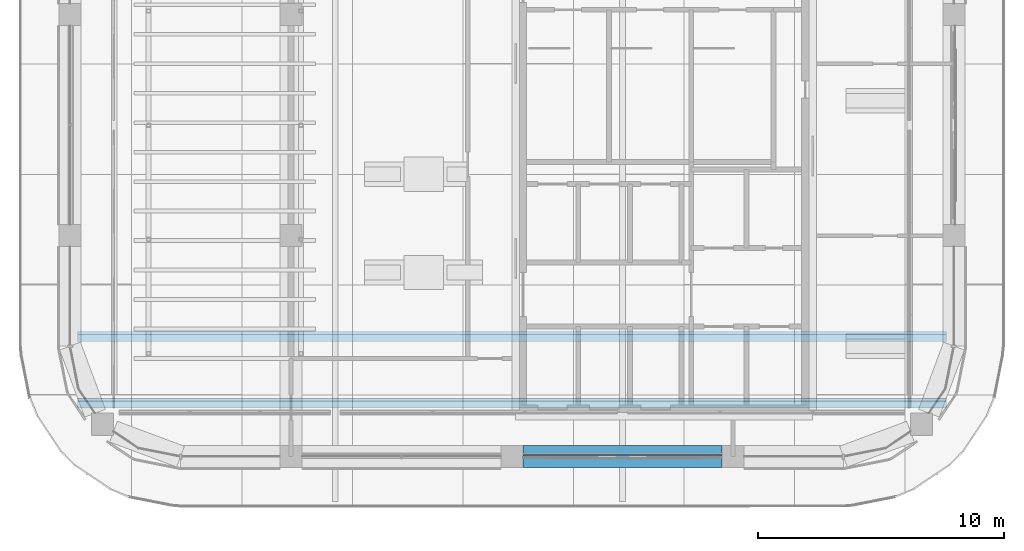
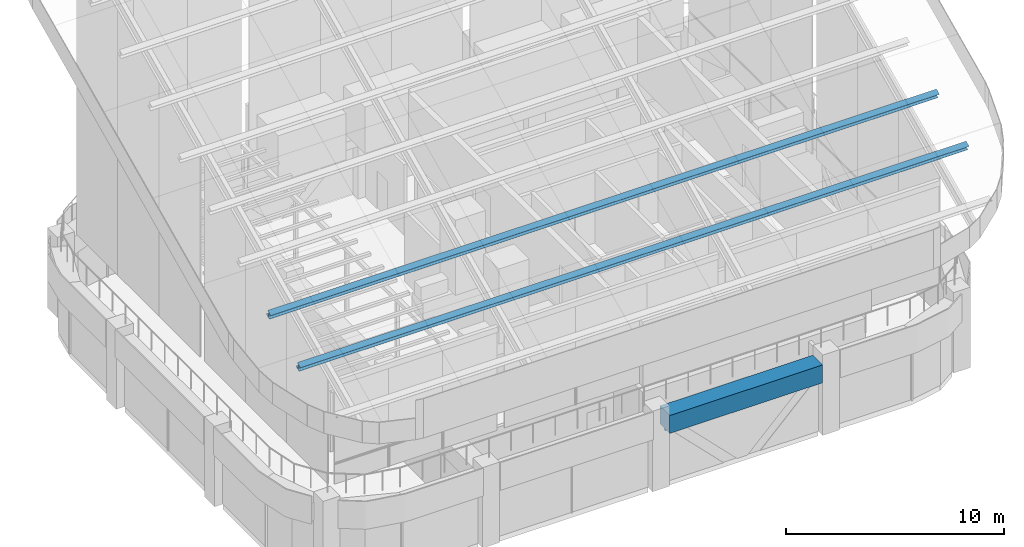
# One storey, part 12 of 31: 3 members, 1 beam, 1 element without a shape of its own.
"""IFC4 building model written with IfcOpenShell, lengths in metres."""

import ifcopenshell
import ifcopenshell.guid

model = None  # the IFC model being written
_history = None  # IfcOwnerHistory: only IFC2X3 demands one
_inside = {}  # id of a spatial element -> (the spatial element, [elements in it])
_under = {}  # id of a project, library or spatial element -> (it, [spatial elements below it])
_declared = {}  # id of a project -> (the project, [libraries it declares])
_typed = {}  # id of a type object -> (the type object, [elements of that type])
_made_of = {}  # id of a material, layer set ... -> (it, [elements and type objects made of it])


def new_model(schema):
    """Start an empty IFC model of exactly this schema.

    Asked for "IFC4X3", IfcOpenShell would pick the latest addendum, in which some entities
    have other attributes; the version numbers below select the first issue.
    IFC2X3 requires an IfcOwnerHistory on every rooted entity: one is made here for all.
    """
    global model, _history
    if schema == "IFC4X3":
        model = ifcopenshell.file(schema_version=(4, 3, 0, 0))
    else:
        model = ifcopenshell.file(schema=schema)
    _inside.clear()
    _under.clear()
    _declared.clear()
    _typed.clear()
    _made_of.clear()
    _history = None
    if model.schema == "IFC2X3":
        org = make("IfcOrganization", Name="unknown")
        user = make(
            "IfcPersonAndOrganization",
            ThePerson=make("IfcPerson", FamilyName="unknown"),
            TheOrganization=org,
        )
        app = make(
            "IfcApplication",
            ApplicationDeveloper=org,
            Version="unknown",
            ApplicationFullName="unknown",
            ApplicationIdentifier="unknown",
        )
        _history = make(
            "IfcOwnerHistory",
            OwningUser=user,
            OwningApplication=app,
            ChangeAction="ADDED",
            CreationDate=0,
        )
    return model


def make(cls, **values):
    """One entity of the class cls with the attributes given. An attribute that is None is left unset."""
    return model.create_entity(
        cls, **{name: value for name, value in values.items() if value is not None}
    )


def rooted(cls, **values):
    """An entity with a GlobalId (a new one), such as an element, a storey or a relation."""
    return make(cls, GlobalId=ifcopenshell.guid.new(), OwnerHistory=_history, **values)


def si_unit(unit_type, name, prefix=None):
    """IfcSIUnit, for example si_unit("LENGTHUNIT", "METRE", prefix="MILLI")."""
    return make("IfcSIUnit", UnitType=unit_type, Prefix=prefix, Name=name)


def assignment(units):
    """IfcUnitAssignment: the units of a project."""
    return None if units is None else make("IfcUnitAssignment", Units=units)


def point(xyz):
    """IfcCartesianPoint."""
    return None if xyz is None else make("IfcCartesianPoint", Coordinates=xyz)


def direction(xyz):
    """IfcDirection."""
    return None if xyz is None else make("IfcDirection", DirectionRatios=xyz)


def frame(location, z_axis=None, x_axis=None):
    """IfcAxis2Placement3D, a coordinate frame: its origin and axes. An axis left out is left unset."""
    return make(
        "IfcAxis2Placement3D",
        Location=point(location),
        Axis=direction(z_axis),
        RefDirection=direction(x_axis),
    )


def frame_2d(location, x_axis=None):
    """IfcAxis2Placement2D, a coordinate frame in the plane: its origin and x axis."""
    return make(
        "IfcAxis2Placement2D", Location=point(location), RefDirection=direction(x_axis)
    )


def origin():
    """The frame at (0, 0, 0) with its axes left unset."""
    return frame((0.0, 0.0, 0.0))


def origin_2d():
    """The frame at (0, 0) in the plane with its x axis left unset."""
    return frame_2d((0.0, 0.0))


def place(relative_to, where):
    """IfcLocalPlacement: puts the frame where relative to a parent placement (None: the world)."""
    return make(
        "IfcLocalPlacement", PlacementRelTo=relative_to, RelativePlacement=where
    )


def context(
    kind, dimensions, precision=None, world=None, true_north=None, identifier=None
):
    """IfcGeometricRepresentationContext, for example the 3D "Model" context."""
    return make(
        "IfcGeometricRepresentationContext",
        ContextIdentifier=identifier,
        ContextType=kind,
        CoordinateSpaceDimension=dimensions,
        Precision=precision,
        WorldCoordinateSystem=world,
        TrueNorth=true_north,
    )


def subcontext(parent, identifier, kind, view, scale=None):
    """IfcGeometricRepresentationSubContext, for example "Body" below "Model"."""
    return make(
        "IfcGeometricRepresentationSubContext",
        ContextIdentifier=identifier,
        ContextType=kind,
        ParentContext=parent,
        TargetScale=scale,
        TargetView=view,
    )


def project(units=None, contexts=None):
    """IfcProject with its units and contexts."""
    return rooted(
        "IfcProject",
        Name="project",
        RepresentationContexts=contexts,
        UnitsInContext=assignment(units),
    )


def spatial(cls, under=None, at=None, **own):
    """A site, building, storey or space (cls), placed at a placement, below another one or the project."""
    s = rooted(cls, ObjectPlacement=at, **own)
    if under is not None:
        _under.setdefault(under.id(), (under, []))[1].append(s)
    return s


def profile(cls, at=None, kind="AREA", **sizes):
    """A parametric profile (cls). Its sizes go by their IFC names, for example OverallWidth=200.0."""
    return make(cls, ProfileType=kind, Position=at, **sizes)


def rectangle(**sizes):
    """IfcRectangleProfileDef."""
    return profile("IfcRectangleProfileDef", **sizes)


def i_section(**sizes):
    """IfcIShapeProfileDef."""
    return profile("IfcIShapeProfileDef", **sizes)


def extrude(swept, where, along, depth):
    """IfcExtrudedAreaSolid: the profile swept, set in the frame where, extruded along a direction by depth."""
    return make(
        "IfcExtrudedAreaSolid",
        SweptArea=swept,
        Position=where,
        ExtrudedDirection=direction(along),
        Depth=depth,
    )


def shape(context_of_items, identifier, shape_type, items):
    """IfcShapeRepresentation: the items that make up one representation, for example the "Body"."""
    return make(
        "IfcShapeRepresentation",
        ContextOfItems=context_of_items,
        RepresentationIdentifier=identifier,
        RepresentationType=shape_type,
        Items=items,
    )


def material(Name=None, Category=None):
    """IfcMaterial."""
    return make("IfcMaterial", Name=Name, Category=Category)


def material_profile(
    of_material, cross_section, Name=None, Category=None, Priority=None
):
    """IfcMaterialProfile: a cross section and its material."""
    return make(
        "IfcMaterialProfile",
        Name=Name,
        Material=of_material,
        Profile=cross_section,
        Priority=Priority,
        Category=Category,
    )


def profile_set(profiles, Name=None, composite=None):
    """IfcMaterialProfileSet."""
    return make(
        "IfcMaterialProfileSet",
        Name=Name,
        MaterialProfiles=profiles,
        CompositeProfile=composite,
    )


def made_of(thing, what):
    """Note that an element or type object is made of a material, layer set ...; save() writes the relation."""
    if what is not None:
        _made_of.setdefault(what.id(), (what, []))[1].append(thing)
    return thing


def type_object(cls, material=None, **own):
    """A type object (cls), such as IfcWallType, which elements share."""
    return made_of(rooted(cls, **own), material)


def element(
    cls,
    number,
    at=None,
    inside=None,
    cuts=None,
    type_object=None,
    material=None,
    context=None,
    identifier="Body",
    shape_type=None,
    held_by="IfcProductDefinitionShape",
    body=None,
    shapes=None,
    **own,
):
    """One element of the class cls, such as IfcWall. Its Tag is "e" and its number.

    at: its placement. inside: the storey or other place that contains it. cuts: it is an
    opening in that element (IfcRelVoidsElement). A single representation is given by context,
    identifier, shape_type and body (its items); several are given by shapes. held_by: the class
    of the entity that holds the representations. save() writes the other relations.
    """
    e = rooted(cls, Tag="e%d" % number, ObjectPlacement=at, **own)
    if body is not None:
        shapes = [shape(context, identifier, shape_type, body)]
    if shapes is not None:
        e.Representation = make(held_by, Representations=shapes)
    if inside is not None:
        _inside.setdefault(inside.id(), (inside, []))[1].append(e)
    if cuts is not None:
        rooted(
            "IfcRelVoidsElement", RelatingBuildingElement=cuts, RelatedOpeningElement=e
        )
    if type_object is not None:
        _typed.setdefault(type_object.id(), (type_object, []))[1].append(e)
    return made_of(e, material)


def aggregate(whole, parts):
    """IfcRelAggregates: a whole, such as a stair, and the parts it consists of."""
    return rooted("IfcRelAggregates", RelatingObject=whole, RelatedObjects=parts)


def save(model, path):
    """Write the relations noted so far, then the file.

    IfcRelAggregates (storeys below a building ...), IfcRelContainedInSpatialStructure (elements
    in a storey), IfcRelDefinesByType, IfcRelAssociatesMaterial and IfcRelDeclares: one each for
    every whole, place, type object, material and project.
    """
    for whole, parts in _under.values():
        aggregate(whole, parts)
    for where, things in _inside.values():
        rooted(
            "IfcRelContainedInSpatialStructure",
            RelatedElements=things,
            RelatingStructure=where,
        )
    for kind, things in _typed.values():
        rooted("IfcRelDefinesByType", RelatedObjects=things, RelatingType=kind)
    for what, things in _made_of.values():
        rooted("IfcRelAssociatesMaterial", RelatedObjects=things, RelatingMaterial=what)
    for by, libraries in _declared.values():
        rooted("IfcRelDeclares", RelatingContext=by, RelatedDefinitions=libraries)
    model.write(path)


model = new_model("IFC4")

# Units and contexts
model_context = context("Model", 3, precision=1e-05, world=origin(), true_north=direction((0.0, 1.0)))
body_context = subcontext(model_context, "Body", "Model", "MODEL_VIEW")
ifc_project = project(units=[si_unit("LENGTHUNIT", "METRE"), si_unit("AREAUNIT", "SQUARE_METRE"), si_unit("VOLUMEUNIT", "CUBIC_METRE"), si_unit("PLANEANGLEUNIT", "RADIAN"), si_unit("MASSUNIT", "GRAM", prefix="KILO")], contexts=[model_context])

# Site, building, storey
site_placement = place(None, origin())
site = spatial("IfcSite", under=ifc_project, at=site_placement, CompositionType="ELEMENT")
building_placement = place(site_placement, origin())
building = spatial("IfcBuilding", under=site, at=building_placement, Name="Tessera Arch", CompositionType="ELEMENT")
storey_placement = place(building_placement, frame((0.0, 0.0, 320.699951171875)))
storey = spatial("IfcBuildingStorey", under=building, at=storey_placement, Name="L77", CompositionType="ELEMENT", Elevation=320.699951171875)

# Curtain wall, member
ifc_material_1 = material(Name="CW3 curtain wall")
curtain_wall_type = type_object("IfcCurtainWallType", Name="CW3 curtain wall", PredefinedType="NOTDEFINED", material=ifc_material_1)
curtain_wall_placement = place(storey_placement, origin())
curtain_wall = element("IfcCurtainWall", 1, at=curtain_wall_placement, inside=storey, type_object=curtain_wall_type, Name="CW3 curtain wall S27.18/2 L77", PredefinedType="NOTDEFINED")
ifc_material_2 = material(Name="Anodised aluminium pale metal", Category="aluminium")
ifc_material_profile_1 = material_profile(ifc_material_2, rectangle(XDim=0.139892578125, YDim=0.10009765625, at=origin_2d()), Name="AL 140x100")
ifc_profile_set_1 = profile_set([ifc_material_profile_1], Name="Anodised aluminium pale metal")
member_type_1 = type_object("IfcMemberType", Name="CW3 transom", PredefinedType="USERDEFINED", material=ifc_profile_set_1)
member_placement = place(storey_placement, frame((36.449951171875, 27.0, 2.900146484375), z_axis=(1.0, 0.0, 0.0), x_axis=(0.0, 1.0, 0.0)))
member = element("IfcMember", 2, at=member_placement, type_object=member_type_1, Name="CW3 transom S27.18/2 1.1", ObjectType="TRANSOM", PredefinedType="USERDEFINED", context=body_context, shape_type="SweptSolid", body=[
    extrude(rectangle(XDim=0.139892578125, YDim=0.10009765625, at=origin_2d()), origin(), (0.0, 0.0, 1.0), 8.10009765625),
])
aggregate(curtain_wall, [member])

# Members
ifc_material_3 = material(Name="Steel A992 Gr50", Category="steel")
ifc_material_profile_2 = material_profile(ifc_material_3, i_section(OverallWidth=0.3046875, OverallDepth=0.307861328125, WebThickness=0.010009765625, FlangeThickness=0.015380859375, at=origin_2d()), Name="W12x65")
ifc_profile_set_2 = profile_set([ifc_material_profile_2], Name="Steel A992 Gr50")
member_type_2 = type_object("IfcMemberType", Name="Canopy purlin W12x65", PredefinedType="PURLIN", material=ifc_profile_set_2)
for number, where, z_axis, x_axis, name in (
    (3, (18.300048828125, 29.17724609375, 11.434326171875), (1.0, 0.0, 0.0), (0.0, 0.906307787037, 0.422618261741), "Canopy purlin 2"),
    (4, (18.300048828125, 31.896240234375, 12.7021484375), (1.0, 0.0, 0.0), (0.0, 0.906307787037, 0.422618261741), "Canopy purlin 3"),
):
    element("IfcMember", number, at=place(storey_placement, frame(where, z_axis=z_axis, x_axis=x_axis)), inside=storey, type_object=member_type_2, Name=name, PredefinedType="PURLIN", context=body_context, shape_type="SweptSolid", body=[
        extrude(i_section(OverallWidth=0.3046875, OverallDepth=0.307861328125, WebThickness=0.010009765625, FlangeThickness=0.015380859375, at=origin_2d()), origin(), (0.0, 0.0, 1.0), 35.39990234375),
    ])

# Beam
ifc_material_4 = material(Name="Concrete C50/60", Category="concrete")
ifc_material_profile_3 = material_profile(ifc_material_4, rectangle(XDim=0.89990234375, YDim=1.0, at=origin_2d()), Name="RC spandrel beam 900 x 1000 Concrete C50/60")
ifc_profile_set_3 = profile_set([ifc_material_profile_3], Name="Concrete C50/60")
beam_type = type_object("IfcBeamType", Name="RC spandrel beam 900 x 1000 Concrete C50/60", PredefinedType="BEAM", material=ifc_profile_set_3)
beam_placement = place(storey_placement, frame((36.449951171875, 27.0, 3.449951171875), z_axis=(1.0, 0.0, 0.0), x_axis=(0.0, 1.0, 0.0)))
element("IfcBeam", 5, at=beam_placement, inside=storey, type_object=beam_type, Name="Spandrel beam L77 S27.18/2", PredefinedType="BEAM", context=body_context, shape_type="SweptSolid", body=[
    extrude(rectangle(XDim=0.89990234375, YDim=1.0, at=origin_2d()), origin(), (0.0, 0.0, 1.0), 8.10009765625),
])

save(model, "model.ifc")
